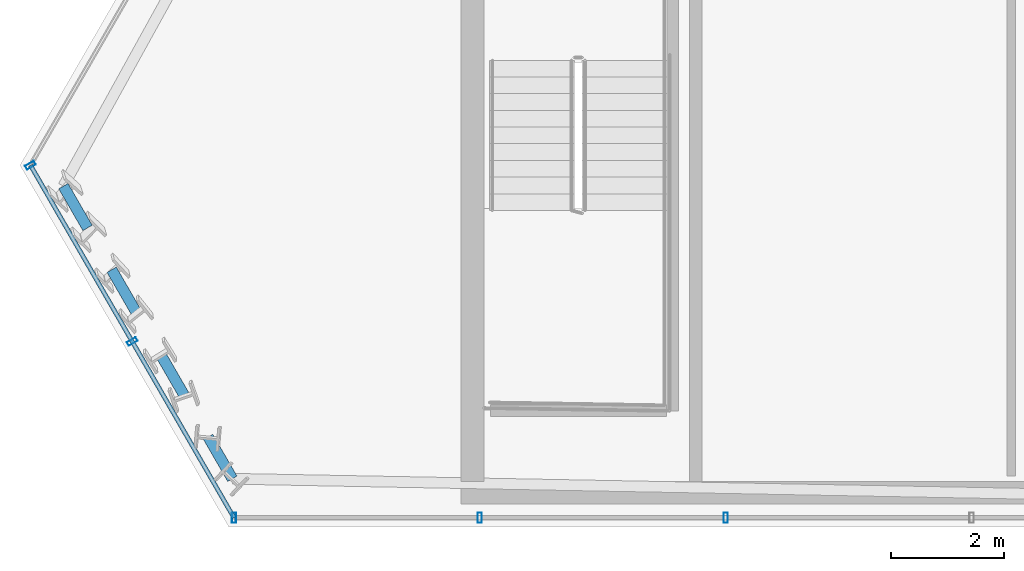
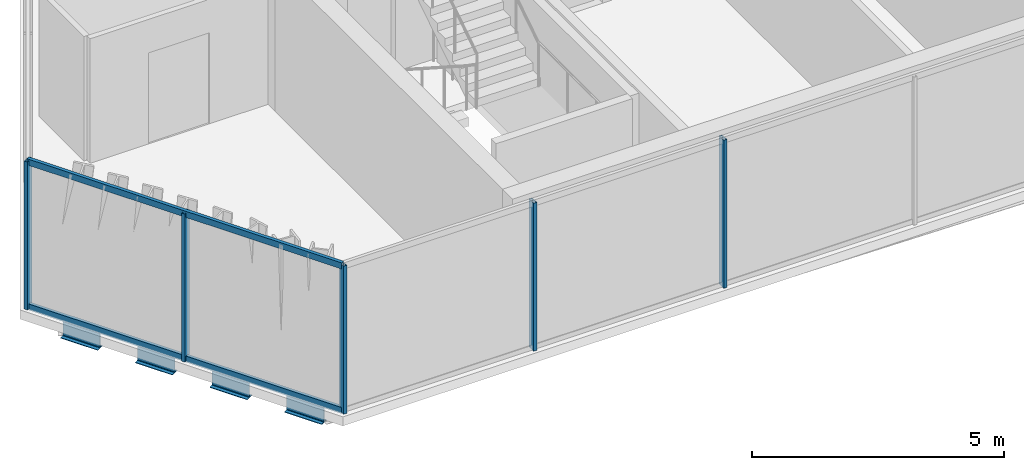
# One storey, part 2 of 29: 7 members, 4 beams, 2 elements without a shape of their own.
"""IFC4 building model written with IfcOpenShell, lengths in metres."""

from ifc_helpers import new_model, si_unit, direction, frame, origin, origin_2d, place, context, subcontext, project, spatial, hollow_rectangle, i_section, extrude, material, layer, layer_set, material_profile, profile_set, type_object, element, aggregate, save


model = new_model("IFC4")

# Units and contexts
model_context = context("Model", 3, precision=1e-05, world=origin(), true_north=direction((0.0, 1.0)))
body_context = subcontext(model_context, "Body", "Model", "MODEL_VIEW")
ifc_project = project(units=[si_unit("LENGTHUNIT", "METRE"), si_unit("AREAUNIT", "SQUARE_METRE"), si_unit("VOLUMEUNIT", "CUBIC_METRE"), si_unit("PLANEANGLEUNIT", "RADIAN"), si_unit("MASSUNIT", "GRAM", prefix="KILO")], contexts=[model_context])

# Site, building, storey
site_placement = place(None, origin())
site = spatial("IfcSite", under=ifc_project, at=site_placement, CompositionType="ELEMENT")
building_placement = place(site_placement, origin())
building = spatial("IfcBuilding", under=site, at=building_placement, Name="Ndaravel Arena Tower", CompositionType="ELEMENT")
storey_placement = place(building_placement, frame((0.0, 0.0, 237.0)))
storey = spatial("IfcBuildingStorey", under=building, at=storey_placement, Name="L57", CompositionType="ELEMENT", Elevation=237.0)

# Beams
ifc_material_1 = material(Name="Steel S355", Category="steel")
ifc_material_profile_1 = material_profile(ifc_material_1, i_section(OverallWidth=0.18994140625, OverallDepth=0.449951171875, WebThickness=0.009521484375, FlangeThickness=0.0146484375, FilletRadius=0.02099609375, at=origin_2d()), Name="IPE 450")
ifc_profile_set_1 = profile_set([ifc_material_profile_1], Name="Steel S355")
beam_type = type_object("IfcBeamType", Name="BM-SPAN-IPE450", PredefinedType="SPANDREL", material=ifc_profile_set_1)
for number, where, z_axis, x_axis, name in (
    (1, (19.41455078125, 11.025146484375, -0.445068359375), (0.5001680112, -0.86592838074, 0.0), (0.86592838074, 0.5001680112, 0.0), "L57 Perimeter Spandrel Beam SP-20"),
    (2, (20.268310546875, 9.54638671875, -0.445068359375), (0.5001680112, -0.86592838074, 0.0), (0.86592838074, 0.5001680112, 0.0), "L57 Perimeter Spandrel Beam SP-22"),
    (3, (21.1220703125, 8.06787109375, -0.445068359375), (0.499829718243, -0.866123693684, 0.0), (0.866123693684, 0.499829718243, 0.0), "L57 Perimeter Spandrel Beam SP-24"),
):
    element("IfcBeam", number, at=place(storey_placement, frame(where, z_axis=z_axis, x_axis=x_axis)), inside=storey, type_object=beam_type, Name=name, PredefinedType="SPANDREL", context=body_context, shape_type="SweptSolid", body=[
        extrude(i_section(OverallWidth=0.18994140625, OverallDepth=0.449951171875, WebThickness=0.009521484375, FlangeThickness=0.0146484375, FilletRadius=0.02099609375, at=origin_2d()), origin(), (0.0, 0.0, 1.0), 0.853759765625),
    ])
beam_placement = place(storey_placement, frame((21.9755859375, 6.589111328125, -0.445068359375), z_axis=(0.500044178772, -0.865999895656, 0.0), x_axis=(0.865999895656, 0.500044178772, 0.0)))
element("IfcBeam", 4, at=beam_placement, inside=storey, type_object=beam_type, Name="L57 Perimeter Spandrel Beam SP-26", PredefinedType="SPANDREL", context=body_context, shape_type="SweptSolid", body=[
    extrude(i_section(OverallWidth=0.18994140625, OverallDepth=0.449951171875, WebThickness=0.009521484375, FlangeThickness=0.0146484375, FilletRadius=0.02099609375, at=origin_2d()), origin(), (0.0, 0.0, 1.0), 0.85400390625),
])

# Curtain wall, members
ifc_material_2 = material(Name="Aluminium", Category="aluminium")
ifc_layer_1 = layer(ifc_material_2, 0.179931640625)
ifc_layer_set_1 = layer_set([ifc_layer_1], Name="Aluminium")
curtain_wall_type_1 = type_object("IfcCurtainWallType", Name="CW-SYS-03", PredefinedType="NOTDEFINED", material=ifc_layer_set_1)
curtain_wall_1_placement = place(storey_placement, origin())
curtain_wall_1 = element("IfcCurtainWall", 5, at=curtain_wall_1_placement, inside=storey, type_object=curtain_wall_type_1, Name="L57 Faceted Crystal Curtain Wall CW-L57-E01", PredefinedType="NOTDEFINED")
ifc_material_3 = material(Name="Aluminium", Category="aluminium")
ifc_material_profile_2 = material_profile(ifc_material_3, hollow_rectangle(XDim=0.074951171875, YDim=0.179931640625, WallThickness=0.00390625, at=origin_2d()), Name="CW MULLION 75x180x4")
ifc_profile_set_2 = profile_set([ifc_material_profile_2], Name="Aluminium")
member_type_1 = type_object("IfcMemberType", Name="MEM-CW-MUL180", PredefinedType="MULLION", material=ifc_profile_set_2)
member_1_placement = place(storey_placement, frame((22.431396484375, 5.159912109375, 0.0), z_axis=(0.0, 0.0, 1.0), x_axis=(1.0, 0.0, 0.0)))
member_1 = element("IfcMember", 6, at=member_1_placement, type_object=member_type_1, Name="CW-L57-E01 Mullion 00", PredefinedType="MULLION", context=body_context, shape_type="SweptSolid", body=[
    extrude(hollow_rectangle(XDim=0.074951171875, YDim=0.179931640625, WallThickness=0.00390625, at=origin_2d()), origin(), (0.0, 0.0, 1.0), 3.580078125),
])
member_2_placement = place(storey_placement, frame((26.77978515625, 5.159912109375, 0.0), z_axis=(0.0, 0.0, 1.0), x_axis=(1.0, 0.0, 0.0)))
member_2 = element("IfcMember", 7, at=member_2_placement, type_object=member_type_1, Name="CW-L57-E01 Mullion 01", PredefinedType="MULLION", context=body_context, shape_type="SweptSolid", body=[
    extrude(hollow_rectangle(XDim=0.074951171875, YDim=0.179931640625, WallThickness=0.00390625, at=origin_2d()), origin(), (0.0, 0.0, 1.0), 3.580078125),
])
member_3_placement = place(storey_placement, frame((31.12841796875, 5.159912109375, 0.0), z_axis=(0.0, 0.0, 1.0), x_axis=(1.0, 0.0, 0.0)))
member_3 = element("IfcMember", 8, at=member_3_placement, type_object=member_type_1, Name="CW-L57-E01 Mullion 02", PredefinedType="MULLION", context=body_context, shape_type="SweptSolid", body=[
    extrude(hollow_rectangle(XDim=0.074951171875, YDim=0.179931640625, WallThickness=0.00390625, at=origin_2d()), origin(), (0.0, 0.0, 1.0), 3.580078125),
])
aggregate(curtain_wall_1, [member_1, member_2, member_3])

ifc_material_4 = material(Name="Aluminium", Category="aluminium")
ifc_layer_2 = layer(ifc_material_4, 0.179931640625)
ifc_layer_set_2 = layer_set([ifc_layer_2], Name="Aluminium")
curtain_wall_type_2 = type_object("IfcCurtainWallType", Name="CW-SYS-02", PredefinedType="NOTDEFINED", material=ifc_layer_set_2)
curtain_wall_2_placement = place(storey_placement, origin())
curtain_wall_2 = element("IfcCurtainWall", 9, at=curtain_wall_2_placement, inside=storey, type_object=curtain_wall_type_2, Name="L57 Faceted Crystal Curtain Wall CW-L57-E06", PredefinedType="NOTDEFINED")
member_4_placement = place(storey_placement, frame((18.831787109375, 11.39501953125, 0.0), z_axis=(0.0, 0.0, 1.0), x_axis=(0.499984884929, -0.866034130299, 0.0)))
member_4 = element("IfcMember", 10, at=member_4_placement, type_object=member_type_1, Name="CW-L57-E06 Mullion 00", PredefinedType="MULLION", context=body_context, shape_type="SweptSolid", body=[
    extrude(hollow_rectangle(XDim=0.074951171875, YDim=0.179931640625, WallThickness=0.00390625, at=origin_2d()), origin(), (0.0, 0.0, 1.0), 3.580078125),
])
member_5_placement = place(storey_placement, frame((20.631591796875, 8.27734375, 0.0), z_axis=(0.0, 0.0, 1.0), x_axis=(0.499984884929, -0.866034130299, 0.0)))
member_5 = element("IfcMember", 11, at=member_5_placement, type_object=member_type_1, Name="CW-L57-E06 Mullion 01", PredefinedType="MULLION", context=body_context, shape_type="SweptSolid", body=[
    extrude(hollow_rectangle(XDim=0.074951171875, YDim=0.179931640625, WallThickness=0.00390625, at=origin_2d()), origin(), (0.0, 0.0, 1.0), 3.580078125),
])
ifc_material_5 = material(Name="Aluminium", Category="aluminium")
ifc_material_profile_3 = material_profile(ifc_material_5, hollow_rectangle(XDim=0.074951171875, YDim=0.14990234375, WallThickness=0.00390625, at=origin_2d()), Name="CW TRANSOM 75x150x4")
ifc_profile_set_3 = profile_set([ifc_material_profile_3], Name="Aluminium")
member_type_2 = type_object("IfcMemberType", Name="MEM-CW-TRN150", PredefinedType="USERDEFINED", material=ifc_profile_set_3)
member_6_placement = place(storey_placement, frame((18.831787109375, 11.39501953125, 0.0400390625), z_axis=(0.499975876118, -0.866039331266, 0.0), x_axis=(0.866039331266, 0.499975876118, 0.0)))
member_6 = element("IfcMember", 12, at=member_6_placement, type_object=member_type_2, Name="CW-L57-E06 Transom 01", ObjectType="TRANSOM", PredefinedType="USERDEFINED", context=body_context, shape_type="SweptSolid", body=[
    extrude(hollow_rectangle(XDim=0.074951171875, YDim=0.14990234375, WallThickness=0.00390625, at=origin_2d()), origin(), (0.0, 0.0, 1.0), 7.199462890625),
])
member_7_placement = place(storey_placement, frame((18.831787109375, 11.39501953125, 3.5400390625), z_axis=(0.499975876118, -0.866039331266, 0.0), x_axis=(0.866039331266, 0.499975876118, 0.0)))
member_7 = element("IfcMember", 13, at=member_7_placement, type_object=member_type_2, Name="CW-L57-E06 Transom 02", ObjectType="TRANSOM", PredefinedType="USERDEFINED", context=body_context, shape_type="SweptSolid", body=[
    extrude(hollow_rectangle(XDim=0.074951171875, YDim=0.14990234375, WallThickness=0.00390625, at=origin_2d()), origin(), (0.0, 0.0, 1.0), 7.199462890625),
])
aggregate(curtain_wall_2, [member_4, member_5, member_6, member_7])

save(model, "model.ifc")
